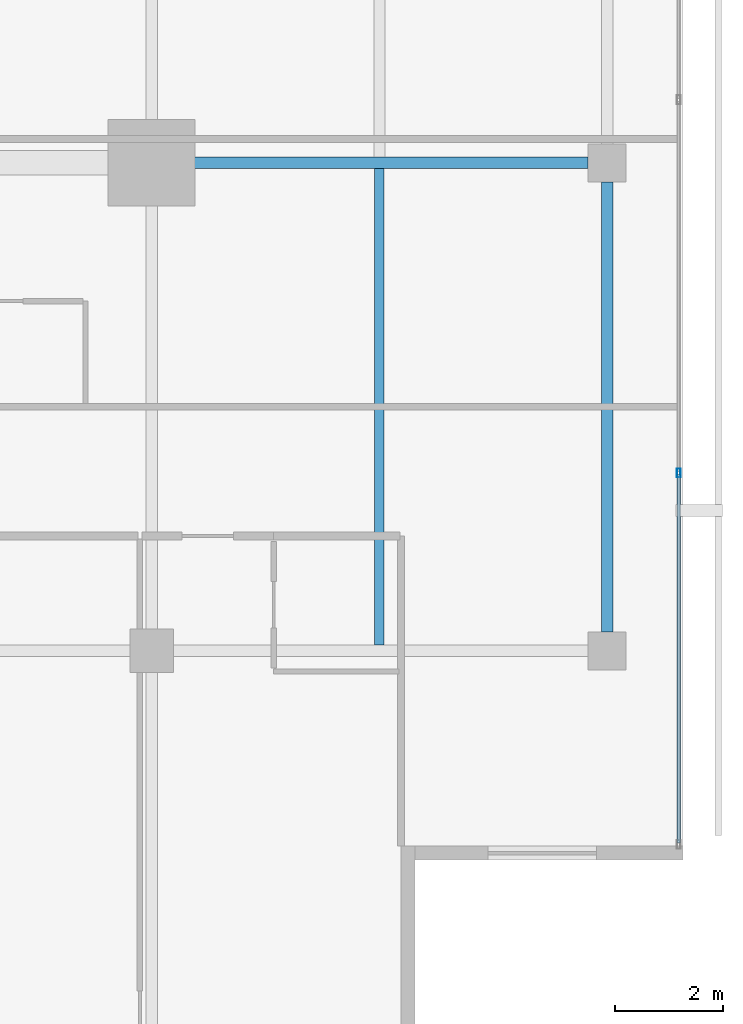
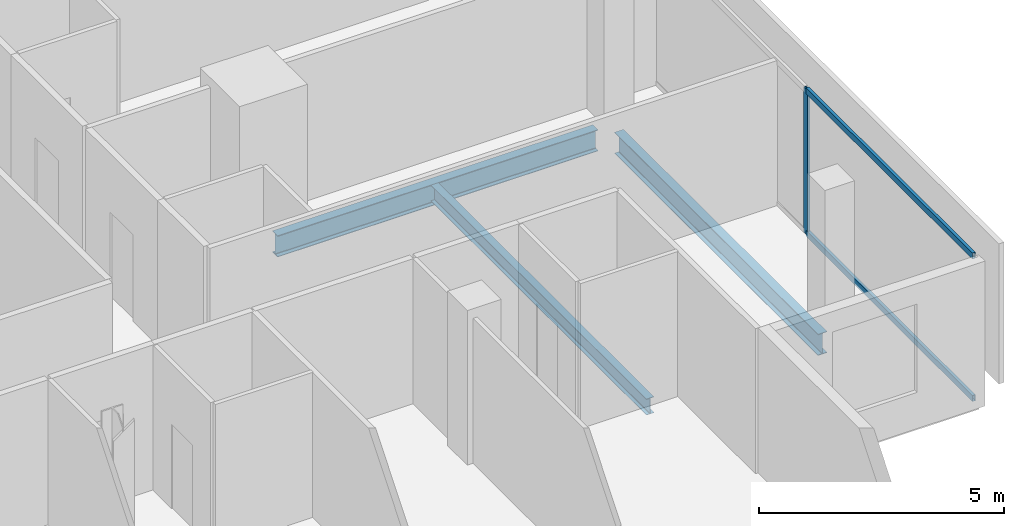
# One storey, part 12 of 26: 3 beams, 3 members, 1 element without a shape of its own.
"""IFC4 building model written with IfcOpenShell, lengths in metres."""

from ifc_helpers import new_model, si_unit, direction, frame, origin, origin_2d, place, context, subcontext, project, spatial, hollow_rectangle, i_section, extrude, material, layer, layer_set, material_profile, profile_set, type_object, element, aggregate, save


model = new_model("IFC4")

# Units and contexts
model_context = context("Model", 3, precision=1e-05, world=origin(), true_north=direction((0.0, 1.0)))
body_context = subcontext(model_context, "Body", "Model", "MODEL_VIEW")
ifc_project = project(units=[si_unit("LENGTHUNIT", "METRE"), si_unit("AREAUNIT", "SQUARE_METRE"), si_unit("VOLUMEUNIT", "CUBIC_METRE"), si_unit("PLANEANGLEUNIT", "RADIAN"), si_unit("MASSUNIT", "GRAM", prefix="KILO")], contexts=[model_context])

# Site, building, storey
site_placement = place(None, origin())
site = spatial("IfcSite", under=ifc_project, at=site_placement, CompositionType="ELEMENT")
building_placement = place(site_placement, origin())
building = spatial("IfcBuilding", under=site, at=building_placement, Name="Maruvema Waterfront Hotel and Observation Tower", CompositionType="ELEMENT")
storey_placement = place(building_placement, frame((0.0, 0.0, 258.64990234375)))
storey = spatial("IfcBuildingStorey", under=building, at=storey_placement, Name="L63", CompositionType="ELEMENT", Elevation=258.64990234375)

# Curtain wall, members
ifc_material_1 = material(Name="Anodised bronze aluminium and solar-control low-E IGU", Category="aluminium")
ifc_layer = layer(ifc_material_1, 0.159912109375, Name="Zone 3 Champagne Inner Thermal Curtain Wall System CW-04")
ifc_layer_set = layer_set([ifc_layer], Name="Anodised bronze aluminium and solar-control low-E IGU")
curtain_wall_type = type_object("IfcCurtainWallType", Name="Zone 3 Champagne Inner Thermal Curtain Wall System CW-04", PredefinedType="USERDEFINED", material=ifc_layer_set)
curtain_wall_placement = place(storey_placement, origin())
curtain_wall = element("IfcCurtainWall", 1, at=curtain_wall_placement, inside=storey, type_object=curtain_wall_type, Name="L63 Curtain Wall CW-L63-E", ObjectType="UNITISED CURTAIN WALL", PredefinedType="USERDEFINED")
ifc_material_2 = material(Name="Anodised architectural bronze aluminium", Category="aluminium")
ifc_material_profile_1 = material_profile(ifc_material_2, hollow_rectangle(XDim=0.070068359375, YDim=0.14990234375, WallThickness=0.00390625, at=origin_2d()), Name="ALU-T70x150")
ifc_profile_set_1 = profile_set([ifc_material_profile_1], Name="Anodised architectural bronze aluminium")
member_type_1 = type_object("IfcMemberType", Name="Curtain Wall Horizontal Transom ALU-T70x150", PredefinedType="USERDEFINED", material=ifc_profile_set_1)
member_1_placement = place(storey_placement, frame((60.1201171875, 14.4599609375, 0.030029296875), z_axis=(0.0, 1.0, 0.0), x_axis=(-1.0, 0.0, 0.0)))
member_1 = element("IfcMember", 2, at=member_1_placement, type_object=member_type_1, Name="CW-04 transom 1.1", ObjectType="TRANSOM", PredefinedType="USERDEFINED", context=body_context, shape_type="SweptSolid", body=[
    extrude(hollow_rectangle(XDim=0.070068359375, YDim=0.14990234375, WallThickness=0.00390625, at=origin_2d()), origin(), (0.0, 0.0, 1.0), 6.7900390625),
])
member_2_placement = place(storey_placement, frame((60.1201171875, 14.4599609375, 3.580078125), z_axis=(0.0, 1.0, 0.0), x_axis=(-1.0, 0.0, 0.0)))
member_2 = element("IfcMember", 3, at=member_2_placement, type_object=member_type_1, Name="CW-04 transom 1.2", ObjectType="TRANSOM", PredefinedType="USERDEFINED", context=body_context, shape_type="SweptSolid", body=[
    extrude(hollow_rectangle(XDim=0.070068359375, YDim=0.14990234375, WallThickness=0.00390625, at=origin_2d()), origin(), (0.0, 0.0, 1.0), 6.7900390625),
])
ifc_material_3 = material(Name="Anodised architectural bronze aluminium", Category="aluminium")
ifc_material_profile_2 = material_profile(ifc_material_3, hollow_rectangle(XDim=0.06494140625, YDim=0.1650390625, WallThickness=0.00390625, at=origin_2d()), Name="ALU-M65x165")
ifc_profile_set_2 = profile_set([ifc_material_profile_2], Name="Anodised architectural bronze aluminium")
member_type_2 = type_object("IfcMemberType", Name="Curtain Wall Primary Mullion ALU-M65x165", PredefinedType="MULLION", material=ifc_profile_set_2)
member_3_placement = place(storey_placement, frame((60.1201171875, 21.280029296875, 0.0), z_axis=(0.0, 0.0, 1.0), x_axis=(-1.0, 0.0, 0.0)))
member_3 = element("IfcMember", 4, at=member_3_placement, type_object=member_type_2, Name="CW-04 mullion 2", PredefinedType="MULLION", context=body_context, shape_type="SweptSolid", body=[
    extrude(hollow_rectangle(XDim=0.06494140625, YDim=0.1650390625, WallThickness=0.00390625, at=origin_2d()), origin(), (0.0, 0.0, 1.0), 3.610107421875),
])
aggregate(curtain_wall, [member_3, member_1, member_2])

# Beams
ifc_material_4 = material(Name="Steel ASTM A572 Grade 50", Category="steel")
ifc_material_profile_3 = material_profile(ifc_material_4, i_section(OverallWidth=0.208984375, OverallDepth=0.532958984375, WebThickness=0.01025390625, FlangeThickness=0.015625, FilletRadius=0.014892578125, at=origin_2d()), Name="W530x92.0")
ifc_profile_set_3 = profile_set([ifc_material_profile_3], Name="Steel ASTM A572 Grade 50")
beam_type_1 = type_object("IfcBeamType", Name="Primary Floor Girder W530x92.0", PredefinedType="BEAM", material=ifc_profile_set_3)
beam_1_placement = place(storey_placement, frame((50.89990234375, 27.0, -0.50634765625), z_axis=(1.0, 0.0, 0.0), x_axis=(0.0, 1.0, 0.0)))
element("IfcBeam", 5, at=beam_1_placement, inside=storey, type_object=beam_type_1, Name="L63 Floor Girder EW-11", PredefinedType="BEAM", context=body_context, shape_type="SweptSolid", body=[
    extrude(i_section(OverallWidth=0.208984375, OverallDepth=0.532958984375, WebThickness=0.01025390625, FlangeThickness=0.015625, FilletRadius=0.014892578125, at=origin_2d()), origin(), (0.0, 0.0, 1.0), 7.550048828125),
])
beam_2_placement = place(storey_placement, frame((58.800048828125, 18.35009765625, -0.50634765625), z_axis=(0.0, 1.0, 0.0), x_axis=(-1.0, 0.0, 0.0)))
element("IfcBeam", 6, at=beam_2_placement, inside=storey, type_object=beam_type_1, Name="L63 Floor Girder NS-16", PredefinedType="BEAM", context=body_context, shape_type="SweptSolid", body=[
    extrude(i_section(OverallWidth=0.208984375, OverallDepth=0.532958984375, WebThickness=0.01025390625, FlangeThickness=0.015625, FilletRadius=0.014892578125, at=origin_2d()), origin(), (0.0, 0.0, 1.0), 8.2998046875),
])
ifc_material_5 = material(Name="Steel ASTM A572 Grade 50", Category="steel")
ifc_material_profile_4 = material_profile(ifc_material_5, i_section(OverallWidth=0.177001953125, OverallDepth=0.403076171875, WebThickness=0.007568359375, FlangeThickness=0.010986328125, FilletRadius=0.014892578125, at=origin_2d()), Name="W410x53.0")
ifc_profile_set_4 = profile_set([ifc_material_profile_4], Name="Steel ASTM A572 Grade 50")
beam_type_2 = type_object("IfcBeamType", Name="Secondary Floor Joist W410x53.0", PredefinedType="JOIST", material=ifc_profile_set_4)
beam_3_placement = place(storey_placement, frame((54.60009765625, 18.1044921875, -0.44140625), z_axis=(0.0, 1.0, 0.0), x_axis=(-1.0, 0.0, 0.0)))
element("IfcBeam", 7, at=beam_3_placement, inside=storey, type_object=beam_type_2, Name="L63 Secondary Floor Joist JS-07", PredefinedType="JOIST", context=body_context, shape_type="SweptSolid", body=[
    extrude(i_section(OverallWidth=0.177001953125, OverallDepth=0.403076171875, WebThickness=0.007568359375, FlangeThickness=0.010986328125, FilletRadius=0.014892578125, at=origin_2d()), origin(), (0.0, 0.0, 1.0), 8.791015625),
])

save(model, "model.ifc")
